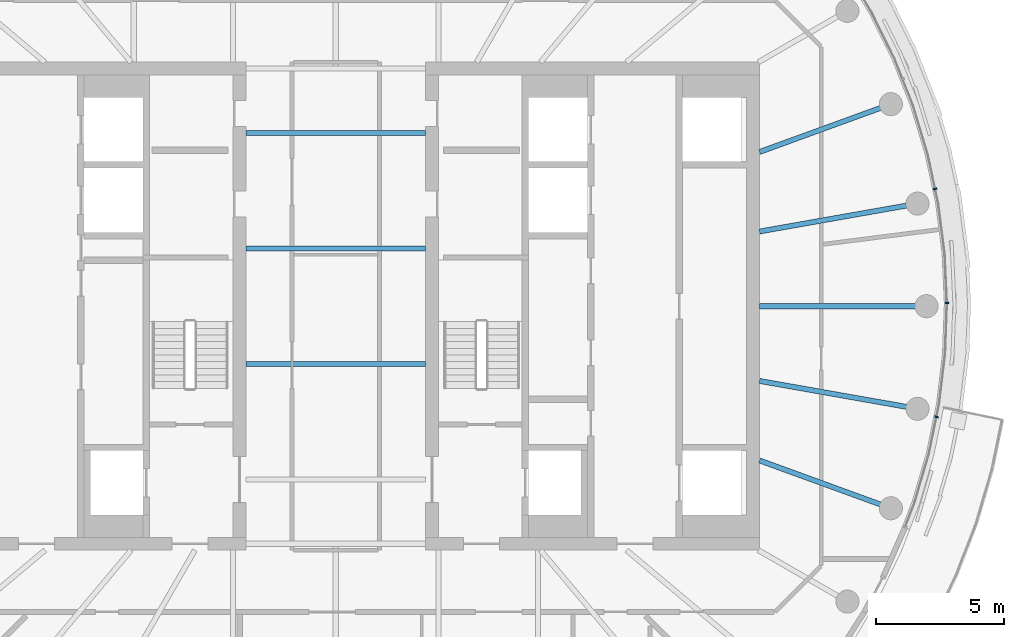
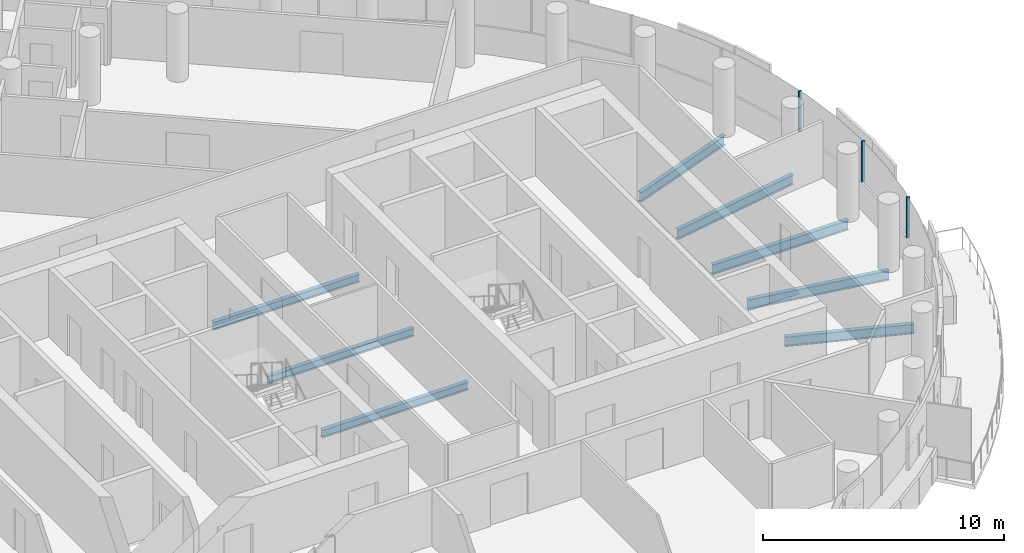
# One storey, part 9 of 26: 8 beams, 3 members, 1 element without a shape of its own.
"""IFC4 building model written with IfcOpenShell, lengths in metres."""

from ifc_helpers import new_model, si_unit, direction, frame, origin, origin_2d, place, context, subcontext, project, spatial, rectangle, i_section, extrude, material, layer, layer_set, material_profile, profile_set, type_object, element, aggregate, save


model = new_model("IFC4")

# Units and contexts
model_context = context("Model", 3, precision=1e-05, world=origin(), true_north=direction((0.0, 1.0)))
body_context = subcontext(model_context, "Body", "Model", "MODEL_VIEW")
ifc_project = project(units=[si_unit("LENGTHUNIT", "METRE"), si_unit("AREAUNIT", "SQUARE_METRE"), si_unit("VOLUMEUNIT", "CUBIC_METRE"), si_unit("PLANEANGLEUNIT", "RADIAN"), si_unit("MASSUNIT", "GRAM", prefix="KILO")], contexts=[model_context])

# Site, building, storey
site_placement = place(None, origin())
site = spatial("IfcSite", under=ifc_project, at=site_placement, CompositionType="ELEMENT")
building_placement = place(site_placement, origin())
building = spatial("IfcBuilding", under=site, at=building_placement, Name="Tamarind Cross Interchange Tower", CompositionType="ELEMENT")
storey_placement = place(building_placement, frame((0.0, 0.0, 223.5)))
storey = spatial("IfcBuildingStorey", under=building, at=storey_placement, Name="L56", CompositionType="ELEMENT", Elevation=223.5)

# Beams
ifc_material_1 = material(Name="Steel Q355B", Category="steel")
ifc_material_profile_1 = material_profile(ifc_material_1, i_section(OverallWidth=0.199951171875, OverallDepth=0.39990234375, WebThickness=0.008056640625, FlangeThickness=0.012939453125, FilletRadius=0.01611328125, at=origin_2d()), Name="HN 400x200x8x13")
ifc_profile_set_1 = profile_set([ifc_material_profile_1], Name="Steel Q355B")
beam_type_1 = type_object("IfcBeamType", Name="Composite beam HN 400x200x8x13 Q355B", PredefinedType="BEAM", material=ifc_profile_set_1)
for number, where, z_axis, x_axis, name in (
    (1, (-3.5, -2.25, -0.340087890625), (1.0, 0.0, 0.0), (0.0, 1.0, 0.0), "Beam G-2.25"),
    (2, (-3.5, 2.25, -0.340087890625), (1.0, 0.0, 0.0), (0.0, 1.0, 0.0), "Beam G2.25"),
    (3, (-3.5, 6.75, -0.340087890625), (1.0, 0.0, 0.0), (0.0, 1.0, 0.0), "Beam G6.75"),
):
    element("IfcBeam", number, at=place(storey_placement, frame(where, z_axis=z_axis, x_axis=x_axis)), inside=storey, type_object=beam_type_1, Name=name, PredefinedType="BEAM", context=body_context, shape_type="SweptSolid", body=[
        extrude(i_section(OverallWidth=0.199951171875, OverallDepth=0.39990234375, WebThickness=0.008056640625, FlangeThickness=0.012939453125, FilletRadius=0.01611328125, at=origin_2d()), origin(), (0.0, 0.0, 1.0), 7.0),
    ])
ifc_material_profile_2 = material_profile(ifc_material_1, i_section(OverallWidth=0.198974609375, OverallDepth=0.49609375, WebThickness=0.009033203125, FlangeThickness=0.013916015625, FilletRadius=0.012939453125, at=origin_2d()), Name="HN 496x199x9x14")
ifc_profile_set_2 = profile_set([ifc_material_profile_2], Name="Steel Q355B")
beam_type_2 = type_object("IfcBeamType", Name="Composite beam HN 496x199x9x14 Q355B", PredefinedType="BEAM", material=ifc_profile_set_2)
beam_1_placement = place(storey_placement, frame((23.0, 0.0, -0.387939453125), z_axis=(-1.0, 0.0, 0.0), x_axis=(0.0, -1.0, 0.0)))
element("IfcBeam", 4, at=beam_1_placement, inside=storey, type_object=beam_type_2, Name="Beam HH00", PredefinedType="BEAM", context=body_context, shape_type="SweptSolid", body=[
    extrude(i_section(OverallWidth=0.198974609375, OverallDepth=0.49609375, WebThickness=0.009033203125, FlangeThickness=0.013916015625, FilletRadius=0.012939453125, at=origin_2d()), origin(), (0.0, 0.0, 1.0), 6.5),
])
beam_2_placement = place(storey_placement, frame((22.650634765625, 3.993896484375, -0.387939453125), z_axis=(-0.984809127561, -0.173640382036, 0.0), x_axis=(0.173640382036, -0.984809127561, 0.0)))
element("IfcBeam", 5, at=beam_2_placement, inside=storey, type_object=beam_type_2, Name="Beam HH01", PredefinedType="BEAM", context=body_context, shape_type="SweptSolid", body=[
    extrude(i_section(OverallWidth=0.198974609375, OverallDepth=0.49609375, WebThickness=0.009033203125, FlangeThickness=0.013916015625, FilletRadius=0.012939453125, at=origin_2d()), origin(), (0.0, 0.0, 1.0), 6.24560546875),
])
for number, where, z_axis, x_axis, name in (
    (6, (21.613037109375, 7.866455078125, -0.387939453125), (-0.939701685589, -0.341995236956, 0.0), (0.341995236956, -0.939701685589, 0.0), "Beam HH02"),
    (7, (21.613037109375, -7.866455078125, -0.387939453125), (-0.939701685589, 0.341995236956, 0.0), (-0.341995236956, -0.939701685589, 0.0), "Beam HH34"),
):
    element("IfcBeam", number, at=place(storey_placement, frame(where, z_axis=z_axis, x_axis=x_axis)), inside=storey, type_object=beam_type_2, Name=name, PredefinedType="BEAM", context=body_context, shape_type="SweptSolid", body=[
        extrude(i_section(OverallWidth=0.198974609375, OverallDepth=0.49609375, WebThickness=0.009033203125, FlangeThickness=0.013916015625, FilletRadius=0.012939453125, at=origin_2d()), origin(), (0.0, 0.0, 1.0), 5.441162109375),
    ])
beam_3_placement = place(storey_placement, frame((22.650634765625, -3.993896484375, -0.387939453125), z_axis=(-0.984809127561, 0.173640382036, 0.0), x_axis=(-0.173640382036, -0.984809127561, 0.0)))
element("IfcBeam", 8, at=beam_3_placement, inside=storey, type_object=beam_type_2, Name="Beam HH35", PredefinedType="BEAM", context=body_context, shape_type="SweptSolid", body=[
    extrude(i_section(OverallWidth=0.198974609375, OverallDepth=0.49609375, WebThickness=0.009033203125, FlangeThickness=0.013916015625, FilletRadius=0.012939453125, at=origin_2d()), origin(), (0.0, 0.0, 1.0), 6.24560546875),
])

# Curtain wall, members
ifc_material_2 = material(Name="Aluminium 6063-T6", Category="aluminium")
ifc_layer = layer(ifc_material_2, 0.139892578125)
ifc_layer_set = layer_set([ifc_layer], Name="Aluminium 6063-T6")
curtain_wall_type = type_object("IfcCurtainWallType", Name="Hotel curtain wall, 4.5 m bays", PredefinedType="NOTDEFINED", material=ifc_layer_set)
curtain_wall_placement = place(storey_placement, origin())
curtain_wall = element("IfcCurtainWall", 9, at=curtain_wall_placement, inside=storey, type_object=curtain_wall_type, Name="CWS-L56-02", PredefinedType="NOTDEFINED")
ifc_material_profile_3 = material_profile(ifc_material_2, rectangle(XDim=0.06005859375, YDim=0.139892578125, at=origin_2d()), Name="Mullion CW2")
ifc_profile_set_3 = profile_set([ifc_material_profile_3], Name="Aluminium 6063-T6")
member_type = type_object("IfcMemberType", Name="Mullion CW2", PredefinedType="MULLION", material=ifc_profile_set_3)
member_1_placement = place(storey_placement, frame((23.386474609375, -4.309326171875, 1.39990234375), z_axis=(0.0, 0.0, 1.0), x_axis=(0.201001463943, 0.9795909409, 0.0)))
member_1 = element("IfcMember", 10, at=member_1_placement, type_object=member_type, Name="CWM-L56-02-13", PredefinedType="MULLION", context=body_context, shape_type="SweptSolid", body=[
    extrude(rectangle(XDim=0.06005859375, YDim=0.139892578125, at=origin_2d()), origin(), (0.0, 0.0, 1.0), 2.06005859375),
])
member_2_placement = place(storey_placement, frame((23.794189453125, 0.131591796875, 1.39990234375), z_axis=(0.0, 0.0, 1.0), x_axis=(-0.045624486728, 0.998958660912, 0.0)))
member_2 = element("IfcMember", 11, at=member_2_placement, type_object=member_type, Name="CWM-L56-02-14", PredefinedType="MULLION", context=body_context, shape_type="SweptSolid", body=[
    extrude(rectangle(XDim=0.06005859375, YDim=0.139892578125, at=origin_2d()), origin(), (0.0, 0.0, 1.0), 2.06005859375),
])
member_3_placement = place(storey_placement, frame((23.336181640625, 4.56787109375, 1.39990234375), z_axis=(0.0, 0.0, 1.0), x_axis=(-0.209425419705, 0.977824623121, 0.0)))
member_3 = element("IfcMember", 12, at=member_3_placement, type_object=member_type, Name="CWM-L56-02-15", PredefinedType="MULLION", context=body_context, shape_type="SweptSolid", body=[
    extrude(rectangle(XDim=0.06005859375, YDim=0.139892578125, at=origin_2d()), origin(), (0.0, 0.0, 1.0), 2.06005859375),
])
aggregate(curtain_wall, [member_1, member_2, member_3])

save(model, "model.ifc")
